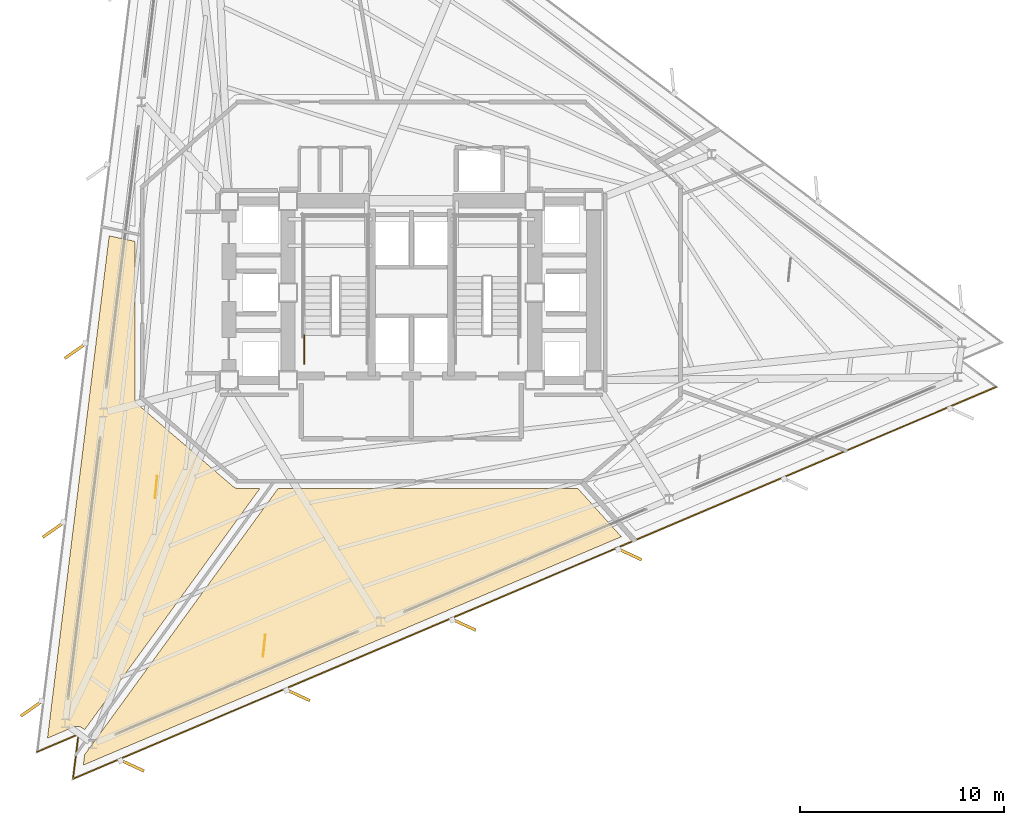
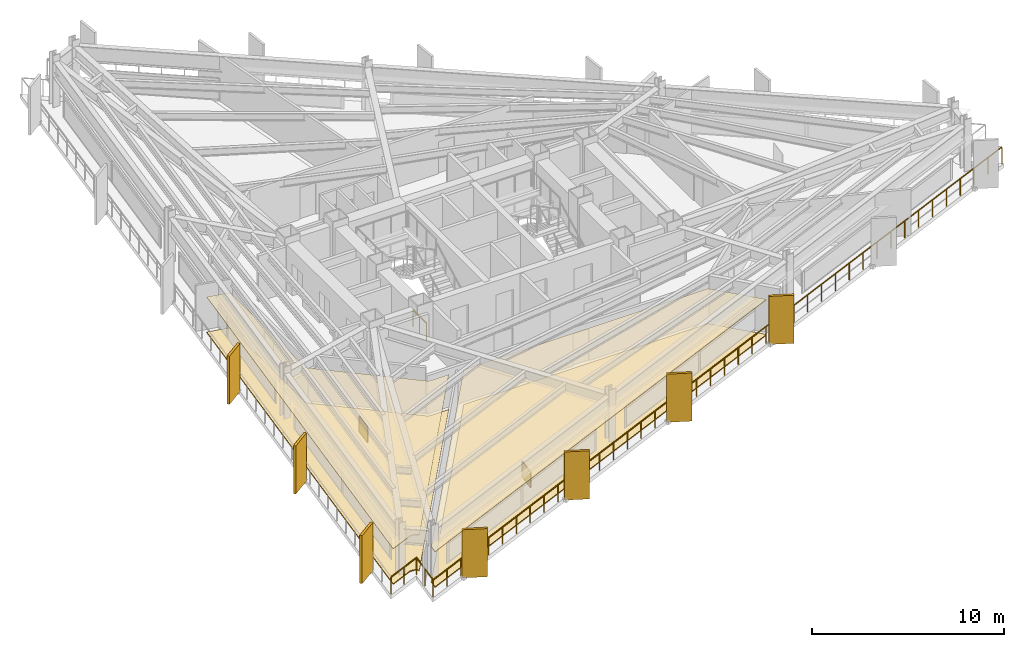
# One storey, part 9 of 13: 7 shading devices, 6 coverings, 2 railings.
"""IFC4 building model written with IfcOpenShell, lengths in metres."""

from ifc_helpers import new_model, si_unit, direction, frame, origin, origin_2d, place, context, subcontext, project, spatial, polyline, rectangle, outline, extrude, material, layer, layer_set, type_object, element, save


model = new_model("IFC4")

# Units and contexts
model_context = context("Model", 3, precision=1e-05, world=origin(), true_north=direction((0.0, 1.0)))
body_context = subcontext(model_context, "Body", "Model", "MODEL_VIEW")
ifc_project = project(units=[si_unit("LENGTHUNIT", "METRE"), si_unit("AREAUNIT", "SQUARE_METRE"), si_unit("VOLUMEUNIT", "CUBIC_METRE"), si_unit("PLANEANGLEUNIT", "RADIAN"), si_unit("MASSUNIT", "GRAM", prefix="KILO")], contexts=[model_context])

# Site, building, storey
site_placement = place(None, origin())
site = spatial("IfcSite", under=ifc_project, at=site_placement, CompositionType="ELEMENT")
building_placement = place(site_placement, origin())
building = spatial("IfcBuilding", under=site, at=building_placement, Name="Rocaltana Carrier Exchange", CompositionType="ELEMENT")
storey_placement = place(building_placement, frame((0.0, 0.0, 73.1201171875)))
storey = spatial("IfcBuildingStorey", under=building, at=storey_placement, Name="L22", CompositionType="ELEMENT", Elevation=73.1201171875)

# Coverings
ifc_material_1 = material(Name="Calcium Sulphate & Aluminium Pedestal", Category="aluminium")
ifc_layer_1 = layer(ifc_material_1, 0.06005859375)
ifc_layer_set_1 = layer_set([ifc_layer_1], Name="Calcium Sulphate & Aluminium Pedestal")
covering_type_1 = type_object("IfcCoveringType", Name="Anti-Static Raised Exchange Access Floor 60", PredefinedType="FLOORING", material=ifc_layer_set_1)
covering_1_placement = place(storey_placement, origin())
element("IfcCovering", 1, at=covering_1_placement, inside=storey, type_object=covering_type_1, Name="L22 Cloud Architecture Office Finish Floor", PredefinedType="FLOORING", context=body_context, shape_type="SweptSolid", body=[
    extrude(outline(polyline([(-16.03271484375, -21.454833984375), (-16.034423828125, -21.45263671875), (-16.047607421875, -21.437744140625), (-16.067138671875, -21.41796875), (-16.081787109375, -21.404296875), (-16.103271484375, -21.386474609375), (-16.119140625, -21.37451171875), (-16.142333984375, -21.35888671875), (-16.159423828125, -21.348388671875), (-16.183837890625, -21.335205078125), (-16.201904296875, -21.326416015625), (-16.227783203125, -21.31591796875), (-16.246337890625, -21.30908203125), (-16.273193359375, -21.30078125), (-16.29248046875, -21.2958984375), (-16.31982421875, -21.29052734375), (-16.339599609375, -21.28759765625), (-16.3671875, -21.284912109375), (-16.38720703125, -21.283935546875), (-16.415283203125, -21.283935546875), (-16.43505859375, -21.284912109375), (-16.462890625, -21.287841796875), (-16.482421875, -21.291015625), (-16.510009765625, -21.29638671875), (-16.529296875, -21.301513671875), (-16.555908203125, -21.309814453125), (-16.57470703125, -21.316650390625), (-16.587646484375, -21.32177734375), (-17.847412109375, -21.8564453125), (-14.822021484375, 2.782470703125), (-13.56005859375, 2.51416015625), (-13.56005859375, -5.199951171875), (-13.559814453125, -5.21337890625), (-13.559326171875, -5.220947265625), (-13.556884765625, -5.24755859375), (-13.5556640625, -5.255126953125), (-13.550537109375, -5.281494140625), (-13.548828125, -5.288818359375), (-13.541259765625, -5.314453125), (-13.538818359375, -5.32177734375), (-13.52880859375, -5.346435546875), (-13.525634765625, -5.353515625), (-13.51318359375, -5.377197265625), (-13.509521484375, -5.3837890625), (-13.4951171875, -5.40625), (-13.490478515625, -5.41259765625), (-13.47412109375, -5.433349609375), (-13.468994140625, -5.439208984375), (-13.450439453125, -5.45849609375), (-13.44482421875, -5.4638671875), (-13.43505859375, -5.47265625), (-8.735107421875, -9.522705078125), (-8.72412109375, -9.53173828125), (-8.717529296875, -9.53662109375), (-8.6943359375, -9.552978515625), (-8.6875, -9.557373046875), (-8.66259765625, -9.571044921875), (-8.6552734375, -9.57470703125), (-8.629150390625, -9.5859375), (-8.62158203125, -9.5888671875), (-8.594482421875, -9.597412109375), (-8.58642578125, -9.599365234375), (-8.55859375, -9.60498046875), (-8.550537109375, -9.606201171875), (-8.522216796875, -9.609130859375), (-8.51416015625, -9.609619140625), (-8.5, -9.610107421875), (-7.427001953125, -9.610107421875), (-16.03271484375, -21.454833984375)])), origin(), (0.0, 0.0, 1.0), 0.059814453125),
])
covering_2_placement = place(storey_placement, origin())
element("IfcCovering", 2, at=covering_2_placement, inside=storey, type_object=covering_type_1, Name="L22 Network Operations Office Finish Floor", PredefinedType="FLOORING", context=body_context, shape_type="SweptSolid", body=[
    extrude(outline(polyline([(-16.028076171875, -22.673095703125), (-6.537109375, -9.610107421875), (8.16845703125, -9.610107421875), (10.30078125, -11.97802734375), (-16.09033203125, -23.180419921875), (-16.028076171875, -22.673095703125)])), origin(), (0.0, 0.0, 1.0), 0.059814453125),
])
ifc_material_2 = material(Name="Mineral Fibre & Powder-Coated Aluminium", Category="aluminium")
ifc_layer_2 = layer(ifc_material_2, 0.044921875)
ifc_layer_set_2 = layer_set([ifc_layer_2], Name="Mineral Fibre & Powder-Coated Aluminium")
covering_type_2 = type_object("IfcCoveringType", Name="Micro-Perforated Acoustic Ceiling 45", PredefinedType="CEILING", material=ifc_layer_set_2)
covering_3_placement = place(storey_placement, frame((0.0, 0.0, 2.242919921875)))
element("IfcCovering", 3, at=covering_3_placement, inside=storey, type_object=covering_type_2, Name="L22 Cloud Architecture Office Acoustic Ceiling", PredefinedType="CEILING", context=body_context, shape_type="SweptSolid", body=[
    extrude(outline(polyline([(-16.03271484375, -21.454833984375), (-16.034423828125, -21.45263671875), (-16.047607421875, -21.437744140625), (-16.067138671875, -21.41796875), (-16.081787109375, -21.404296875), (-16.103271484375, -21.386474609375), (-16.119140625, -21.37451171875), (-16.142333984375, -21.35888671875), (-16.159423828125, -21.348388671875), (-16.183837890625, -21.335205078125), (-16.201904296875, -21.326416015625), (-16.227783203125, -21.31591796875), (-16.246337890625, -21.30908203125), (-16.273193359375, -21.30078125), (-16.29248046875, -21.2958984375), (-16.31982421875, -21.29052734375), (-16.339599609375, -21.28759765625), (-16.3671875, -21.284912109375), (-16.38720703125, -21.283935546875), (-16.415283203125, -21.283935546875), (-16.43505859375, -21.284912109375), (-16.462890625, -21.287841796875), (-16.482421875, -21.291015625), (-16.510009765625, -21.29638671875), (-16.529296875, -21.301513671875), (-16.555908203125, -21.309814453125), (-16.57470703125, -21.316650390625), (-16.587646484375, -21.32177734375), (-17.847412109375, -21.8564453125), (-14.822021484375, 2.782470703125), (-13.56005859375, 2.51416015625), (-13.56005859375, -5.199951171875), (-13.559814453125, -5.21337890625), (-13.559326171875, -5.220947265625), (-13.556884765625, -5.24755859375), (-13.5556640625, -5.255126953125), (-13.550537109375, -5.281494140625), (-13.548828125, -5.288818359375), (-13.541259765625, -5.314453125), (-13.538818359375, -5.32177734375), (-13.52880859375, -5.346435546875), (-13.525634765625, -5.353515625), (-13.51318359375, -5.377197265625), (-13.509521484375, -5.3837890625), (-13.4951171875, -5.40625), (-13.490478515625, -5.41259765625), (-13.47412109375, -5.433349609375), (-13.468994140625, -5.439208984375), (-13.450439453125, -5.45849609375), (-13.44482421875, -5.4638671875), (-13.43505859375, -5.47265625), (-8.735107421875, -9.522705078125), (-8.72412109375, -9.53173828125), (-8.717529296875, -9.53662109375), (-8.6943359375, -9.552978515625), (-8.6875, -9.557373046875), (-8.66259765625, -9.571044921875), (-8.6552734375, -9.57470703125), (-8.629150390625, -9.5859375), (-8.62158203125, -9.5888671875), (-8.594482421875, -9.597412109375), (-8.58642578125, -9.599365234375), (-8.55859375, -9.60498046875), (-8.550537109375, -9.606201171875), (-8.522216796875, -9.609130859375), (-8.51416015625, -9.609619140625), (-8.5, -9.610107421875), (-7.427001953125, -9.610107421875), (-16.03271484375, -21.454833984375)])), origin(), (0.0, 0.0, 1.0), 0.044921875),
])
covering_4_placement = place(storey_placement, frame((0.0, 0.0, 2.242919921875)))
element("IfcCovering", 4, at=covering_4_placement, inside=storey, type_object=covering_type_2, Name="L22 Network Operations Office Acoustic Ceiling", PredefinedType="CEILING", context=body_context, shape_type="SweptSolid", body=[
    extrude(outline(polyline([(-16.028076171875, -22.673095703125), (-6.537109375, -9.610107421875), (8.16845703125, -9.610107421875), (10.30078125, -11.97802734375), (-16.09033203125, -23.180419921875), (-16.028076171875, -22.673095703125)])), origin(), (0.0, 0.0, 1.0), 0.044921875),
])

# Railing
ifc_material_3 = material(Name="Powder-Coated Aluminium 6063-T6", Category="aluminium")
ifc_layer_3 = layer(ifc_material_3, 0.048095703125)
ifc_layer_set_3 = layer_set([ifc_layer_3], Name="Powder-Coated Aluminium 6063-T6")
railing_type_1 = type_object("IfcRailingType", Name="Stair Well Guardrail 1100", PredefinedType="GUARDRAIL", material=ifc_layer_set_3)
railing_1_placement = place(storey_placement, frame((-5.25, -3.5, 0.0)))
element("IfcRailing", 5, at=railing_1_placement, inside=storey, type_object=railing_type_1, Name="L22 ST-1 stair guard 9", PredefinedType="GUARDRAIL", context=body_context, shape_type="SweptSolid", body=[
    extrude(rectangle(XDim=0.048095703125, YDim=0.048095703125, at=origin_2d()), frame((0.0, 0.0, 1.076171875), z_axis=(0.0, 1.0, 0.0), x_axis=(-1.0, 0.0, 0.0)), (0.0, 0.0, 1.0), 1.39990234375),
    extrude(rectangle(XDim=0.0419921875, YDim=0.0419921875, at=origin_2d()), origin(), (0.0, 0.0, 1.0), 1.052001953125),
    extrude(rectangle(XDim=0.0419921875, YDim=0.0419921875, at=origin_2d()), frame((0.0, 0.699951171875, 0.0)), (0.0, 0.0, 1.0), 1.052001953125),
    extrude(rectangle(XDim=0.0419921875, YDim=0.0419921875, at=origin_2d()), frame((0.0, 1.39990234375, 0.0)), (0.0, 0.0, 1.0), 1.052001953125),
])

# Coverings
ifc_material_4 = material(Name="Honed Piedra Muneca Sandstone", Category="masonry")
ifc_layer_4 = layer(ifc_material_4, 0.034912109375)
ifc_layer_set_4 = layer_set([ifc_layer_4], Name="Honed Piedra Muneca Sandstone")
covering_type_3 = type_object("IfcCoveringType", Name="Stone Facade Cladding 35", PredefinedType="CLADDING", material=ifc_layer_set_4)
for number, where, z_axis, x_axis, name in (
    (6, (-12.520751953125, -9.544921875, 0.0), (0.0, 0.0, 1.0), (0.104528463268, 0.994521895368, 0.0), "L22 Stone Facade Cladding Panel 1"),
    (7, (-7.22021484375, -17.32568359375, 0.0), (0.0, 0.0, 1.0), (0.104528463268, 0.994521895368, 0.0), "L22 Stone Facade Cladding Panel 2"),
):
    element("IfcCovering", number, at=place(storey_placement, frame(where, z_axis=z_axis, x_axis=x_axis)), inside=storey, type_object=covering_type_3, Name=name, PredefinedType="CLADDING", context=body_context, shape_type="SweptSolid", body=[
        extrude(rectangle(XDim=1.10009765625, YDim=0.034912109375, at=origin_2d()), origin(), (0.0, 0.0, 1.0), 1.050048828125),
    ])

# Shading devices
ifc_material_5 = material(Name="Honed Bogota Sandstone & Concrete C45/55", Category="masonry")
ifc_layer_5 = layer(ifc_material_5, 0.139892578125)
ifc_layer_set_5 = layer_set([ifc_layer_5], Name="Honed Bogota Sandstone & Concrete C45/55")
shading_device_type = type_object("IfcShadingDeviceType", Name="Vertical Sandstone Shading Fin 1320x140", PredefinedType="USERDEFINED", material=ifc_layer_set_5)
for number, where, z_axis, x_axis, name in (
    (8, (-16.46142578125, -2.85009765625, -0.1201171875), (0.0, 0.0, 1.0), (-0.819152044289, -0.573576436351, 0.0), "L22 Sandstone Vertical Fin F2-04"),
    (9, (-17.538818359375, -11.6240234375, -0.1201171875), (0.0, 0.0, 1.0), (-0.819152044289, -0.573576436351, 0.0), "L22 Sandstone Vertical Fin F2-05"),
    (10, (-18.6162109375, -20.398193359375, -0.1201171875), (0.0, 0.0, 1.0), (-0.819152044289, -0.573576436351, 0.0), "L22 Sandstone Vertical Fin F2-06"),
    (11, (-13.712890625, -23.193359375, -0.1201171875), (0.0, 0.0, 1.0), (0.906307787037, -0.422618261741, 0.0), "L22 Sandstone Vertical Fin F3-01"),
    (12, (-5.57568359375, -19.7392578125, -0.1201171875), (0.0, 0.0, 1.0), (0.906307787037, -0.422618261741, 0.0), "L22 Sandstone Vertical Fin F3-02"),
    (13, (2.5615234375, -16.28515625, -0.1201171875), (0.0, 0.0, 1.0), (0.906307787037, -0.422618261741, 0.0), "L22 Sandstone Vertical Fin F3-03"),
    (14, (10.698974609375, -12.8310546875, -0.1201171875), (0.0, 0.0, 1.0), (0.906307787037, -0.422618261741, 0.0), "L22 Sandstone Vertical Fin F3-04"),
):
    element("IfcShadingDevice", number, at=place(storey_placement, frame(where, z_axis=z_axis, x_axis=x_axis)), inside=storey, type_object=shading_device_type, Name=name, ObjectType="FIN", PredefinedType="USERDEFINED", context=body_context, shape_type="SweptSolid", body=[
        extrude(rectangle(XDim=1.320068359375, YDim=0.139892578125, at=origin_2d()), origin(), (0.0, 0.0, 1.0), 3.05810546875),
    ])

# Railing
ifc_material_6 = material(Name="Powder-Coated Aluminium 6063-T6", Category="aluminium")
ifc_layer_6 = layer(ifc_material_6, 0.06005859375)
ifc_layer_set_6 = layer_set([ifc_layer_6], Name="Powder-Coated Aluminium 6063-T6")
railing_type_2 = type_object("IfcRailingType", Name="Wind-Floor & Terrace Perimeter Guardrail 1100", PredefinedType="GUARDRAIL", material=ifc_layer_set_6)
railing_2_placement = place(storey_placement, frame((28.685791015625, -4.63037109375, 0.0)))
element("IfcRailing", 15, at=railing_2_placement, inside=storey, type_object=railing_type_2, Name="L22 Perimeter Balcony Guardrail 1", PredefinedType="GUARDRAIL", context=body_context, shape_type="SweptSolid", body=[
    extrude(rectangle(XDim=0.048095703125, YDim=0.048095703125, at=origin_2d()), frame((0.0, 0.0, 1.076171875), z_axis=(-0.920504928534, -0.390730951608, 0.0), x_axis=(0.390730951608, -0.920504928534, 0.0)), (0.0, 0.0, 1.0), 49.1923828125),
    extrude(rectangle(XDim=0.048095703125, YDim=0.048095703125, at=origin_2d()), frame((-45.28173828125, -19.220947265625, 1.076171875), z_axis=(0.121849105842, 0.992548636292, 0.0), x_axis=(-0.992548636292, 0.121849105842, 0.0)), (0.0, 0.0, 1.0), 2.199951171875),
    extrude(rectangle(XDim=0.048095703125, YDim=0.048095703125, at=origin_2d()), frame((-45.013671875, -17.037353515625, 1.076171875), z_axis=(-0.920488651352, -0.390769296046, 0.0), x_axis=(0.390769296046, -0.920488651352, 0.0)), (0.0, 0.0, 1.0), 2.19970703125),
    extrude(rectangle(XDim=0.0419921875, YDim=0.0419921875, at=origin_2d()), origin(), (0.0, 0.0, 1.0), 1.052001953125),
    extrude(rectangle(XDim=0.0419921875, YDim=0.0419921875, at=origin_2d()), frame((-1.1044921875, -0.46875, 0.0)), (0.0, 0.0, 1.0), 1.052001953125),
    extrude(rectangle(XDim=0.0419921875, YDim=0.0419921875, at=origin_2d()), frame((-2.208984375, -0.9375, 0.0)), (0.0, 0.0, 1.0), 1.052001953125),
    extrude(rectangle(XDim=0.0419921875, YDim=0.0419921875, at=origin_2d()), frame((-3.313232421875, -1.406494140625, 0.0)), (0.0, 0.0, 1.0), 1.052001953125),
    extrude(rectangle(XDim=0.0419921875, YDim=0.0419921875, at=origin_2d()), frame((-4.417724609375, -1.875244140625, 0.0)), (0.0, 0.0, 1.0), 1.052001953125),
    extrude(rectangle(XDim=0.0419921875, YDim=0.0419921875, at=origin_2d()), frame((-5.522216796875, -2.343994140625, 0.0)), (0.0, 0.0, 1.0), 1.052001953125),
    extrude(rectangle(XDim=0.0419921875, YDim=0.0419921875, at=origin_2d()), frame((-6.626708984375, -2.812744140625, 0.0)), (0.0, 0.0, 1.0), 1.052001953125),
    extrude(rectangle(XDim=0.0419921875, YDim=0.0419921875, at=origin_2d()), frame((-7.73095703125, -3.28173828125, 0.0)), (0.0, 0.0, 1.0), 1.052001953125),
    extrude(rectangle(XDim=0.0419921875, YDim=0.0419921875, at=origin_2d()), frame((-8.83544921875, -3.75048828125, 0.0)), (0.0, 0.0, 1.0), 1.052001953125),
    extrude(rectangle(XDim=0.0419921875, YDim=0.0419921875, at=origin_2d()), frame((-9.93994140625, -4.21923828125, 0.0)), (0.0, 0.0, 1.0), 1.052001953125),
    extrude(rectangle(XDim=0.0419921875, YDim=0.0419921875, at=origin_2d()), frame((-11.04443359375, -4.68798828125, 0.0)), (0.0, 0.0, 1.0), 1.052001953125),
    extrude(rectangle(XDim=0.0419921875, YDim=0.0419921875, at=origin_2d()), frame((-12.148681640625, -5.15673828125, 0.0)), (0.0, 0.0, 1.0), 1.052001953125),
    extrude(rectangle(XDim=0.0419921875, YDim=0.0419921875, at=origin_2d()), frame((-13.253173828125, -5.625732421875, 0.0)), (0.0, 0.0, 1.0), 1.052001953125),
    extrude(rectangle(XDim=0.0419921875, YDim=0.0419921875, at=origin_2d()), frame((-14.357666015625, -6.094482421875, 0.0)), (0.0, 0.0, 1.0), 1.052001953125),
    extrude(rectangle(XDim=0.0419921875, YDim=0.0419921875, at=origin_2d()), frame((-15.462158203125, -6.563232421875, 0.0)), (0.0, 0.0, 1.0), 1.052001953125),
    extrude(rectangle(XDim=0.0419921875, YDim=0.0419921875, at=origin_2d()), frame((-16.56640625, -7.031982421875, 0.0)), (0.0, 0.0, 1.0), 1.052001953125),
    extrude(rectangle(XDim=0.0419921875, YDim=0.0419921875, at=origin_2d()), frame((-17.6708984375, -7.5009765625, 0.0)), (0.0, 0.0, 1.0), 1.052001953125),
    extrude(rectangle(XDim=0.0419921875, YDim=0.0419921875, at=origin_2d()), frame((-18.775390625, -7.9697265625, 0.0)), (0.0, 0.0, 1.0), 1.052001953125),
    extrude(rectangle(XDim=0.0419921875, YDim=0.0419921875, at=origin_2d()), frame((-19.8798828125, -8.4384765625, 0.0)), (0.0, 0.0, 1.0), 1.052001953125),
    extrude(rectangle(XDim=0.0419921875, YDim=0.0419921875, at=origin_2d()), frame((-20.984130859375, -8.9072265625, 0.0)), (0.0, 0.0, 1.0), 1.052001953125),
    extrude(rectangle(XDim=0.0419921875, YDim=0.0419921875, at=origin_2d()), frame((-22.088623046875, -9.3759765625, 0.0)), (0.0, 0.0, 1.0), 1.052001953125),
    extrude(rectangle(XDim=0.0419921875, YDim=0.0419921875, at=origin_2d()), frame((-23.193115234375, -9.844970703125, 0.0)), (0.0, 0.0, 1.0), 1.052001953125),
    extrude(rectangle(XDim=0.0419921875, YDim=0.0419921875, at=origin_2d()), frame((-24.297607421875, -10.313720703125, 0.0)), (0.0, 0.0, 1.0), 1.052001953125),
    extrude(rectangle(XDim=0.0419921875, YDim=0.0419921875, at=origin_2d()), frame((-25.40185546875, -10.782470703125, 0.0)), (0.0, 0.0, 1.0), 1.052001953125),
    extrude(rectangle(XDim=0.0419921875, YDim=0.0419921875, at=origin_2d()), frame((-26.50634765625, -11.251220703125, 0.0)), (0.0, 0.0, 1.0), 1.052001953125),
    extrude(rectangle(XDim=0.0419921875, YDim=0.0419921875, at=origin_2d()), frame((-27.61083984375, -11.719970703125, 0.0)), (0.0, 0.0, 1.0), 1.052001953125),
    extrude(rectangle(XDim=0.0419921875, YDim=0.0419921875, at=origin_2d()), frame((-28.71533203125, -12.18896484375, 0.0)), (0.0, 0.0, 1.0), 1.052001953125),
    extrude(rectangle(XDim=0.0419921875, YDim=0.0419921875, at=origin_2d()), frame((-29.819580078125, -12.65771484375, 0.0)), (0.0, 0.0, 1.0), 1.052001953125),
    extrude(rectangle(XDim=0.0419921875, YDim=0.0419921875, at=origin_2d()), frame((-30.924072265625, -13.12646484375, 0.0)), (0.0, 0.0, 1.0), 1.052001953125),
    extrude(rectangle(XDim=0.0419921875, YDim=0.0419921875, at=origin_2d()), frame((-32.028564453125, -13.59521484375, 0.0)), (0.0, 0.0, 1.0), 1.052001953125),
    extrude(rectangle(XDim=0.0419921875, YDim=0.0419921875, at=origin_2d()), frame((-33.133056640625, -14.064208984375, 0.0)), (0.0, 0.0, 1.0), 1.052001953125),
    extrude(rectangle(XDim=0.0419921875, YDim=0.0419921875, at=origin_2d()), frame((-34.2373046875, -14.532958984375, 0.0)), (0.0, 0.0, 1.0), 1.052001953125),
    extrude(rectangle(XDim=0.0419921875, YDim=0.0419921875, at=origin_2d()), frame((-35.341796875, -15.001708984375, 0.0)), (0.0, 0.0, 1.0), 1.052001953125),
    extrude(rectangle(XDim=0.0419921875, YDim=0.0419921875, at=origin_2d()), frame((-36.4462890625, -15.470458984375, 0.0)), (0.0, 0.0, 1.0), 1.052001953125),
    extrude(rectangle(XDim=0.0419921875, YDim=0.0419921875, at=origin_2d()), frame((-37.55078125, -15.939208984375, 0.0)), (0.0, 0.0, 1.0), 1.052001953125),
    extrude(rectangle(XDim=0.0419921875, YDim=0.0419921875, at=origin_2d()), frame((-38.655029296875, -16.408203125, 0.0)), (0.0, 0.0, 1.0), 1.052001953125),
    extrude(rectangle(XDim=0.0419921875, YDim=0.0419921875, at=origin_2d()), frame((-39.759521484375, -16.876953125, 0.0)), (0.0, 0.0, 1.0), 1.052001953125),
    extrude(rectangle(XDim=0.0419921875, YDim=0.0419921875, at=origin_2d()), frame((-40.864013671875, -17.345703125, 0.0)), (0.0, 0.0, 1.0), 1.052001953125),
    extrude(rectangle(XDim=0.0419921875, YDim=0.0419921875, at=origin_2d()), frame((-41.968505859375, -17.814453125, 0.0)), (0.0, 0.0, 1.0), 1.052001953125),
    extrude(rectangle(XDim=0.0419921875, YDim=0.0419921875, at=origin_2d()), frame((-43.07275390625, -18.283447265625, 0.0)), (0.0, 0.0, 1.0), 1.052001953125),
    extrude(rectangle(XDim=0.0419921875, YDim=0.0419921875, at=origin_2d()), frame((-44.17724609375, -18.752197265625, 0.0)), (0.0, 0.0, 1.0), 1.052001953125),
    extrude(rectangle(XDim=0.0419921875, YDim=0.0419921875, at=origin_2d()), frame((-45.28173828125, -19.220947265625, 0.0)), (0.0, 0.0, 1.0), 1.052001953125),
    extrude(rectangle(XDim=0.0419921875, YDim=0.0419921875, at=origin_2d()), frame((-45.147705078125, -18.129150390625, 0.0)), (0.0, 0.0, 1.0), 1.052001953125),
    extrude(rectangle(XDim=0.0419921875, YDim=0.0419921875, at=origin_2d()), frame((-45.013671875, -17.037353515625, 0.0)), (0.0, 0.0, 1.0), 1.052001953125),
    extrude(rectangle(XDim=0.0419921875, YDim=0.0419921875, at=origin_2d()), frame((-46.026123046875, -17.46728515625, 0.0)), (0.0, 0.0, 1.0), 1.052001953125),
    extrude(rectangle(XDim=0.0419921875, YDim=0.0419921875, at=origin_2d()), frame((-47.03857421875, -17.89697265625, 0.0)), (0.0, 0.0, 1.0), 1.052001953125),
])

save(model, "model.ifc")
